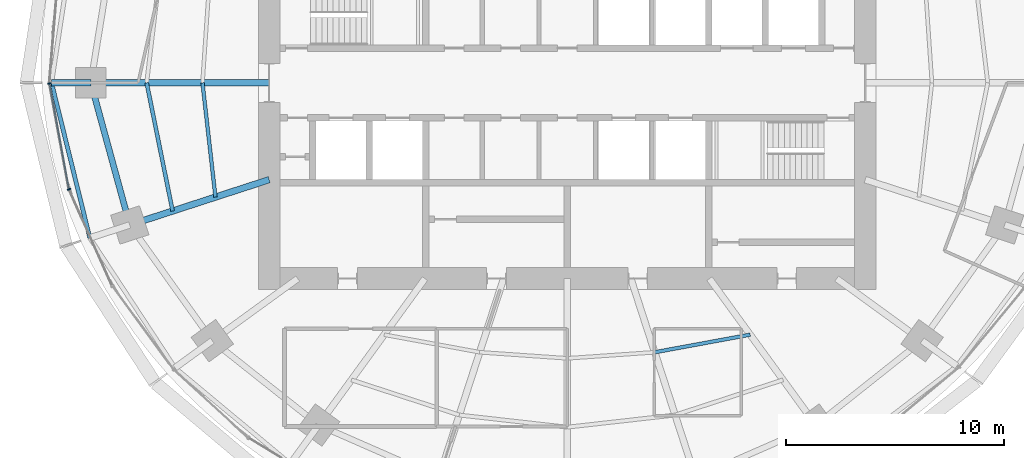
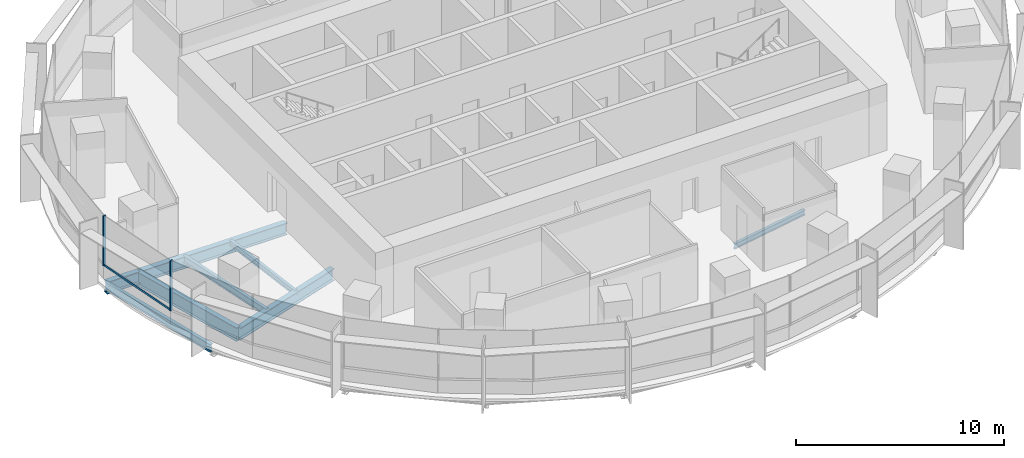
# One storey, part 3 of 14: 8 beams, 3 members, 1 element without a shape of its own.
"""IFC4 building model written with IfcOpenShell, lengths in metres."""

import ifcopenshell
import ifcopenshell.guid

model = None  # the IFC model being written
_history = None  # IfcOwnerHistory: only IFC2X3 demands one
_inside = {}  # id of a spatial element -> (the spatial element, [elements in it])
_under = {}  # id of a project, library or spatial element -> (it, [spatial elements below it])
_declared = {}  # id of a project -> (the project, [libraries it declares])
_typed = {}  # id of a type object -> (the type object, [elements of that type])
_made_of = {}  # id of a material, layer set ... -> (it, [elements and type objects made of it])


def new_model(schema):
    """Start an empty IFC model of exactly this schema.

    Asked for "IFC4X3", IfcOpenShell would pick the latest addendum, in which some entities
    have other attributes; the version numbers below select the first issue.
    IFC2X3 requires an IfcOwnerHistory on every rooted entity: one is made here for all.
    """
    global model, _history
    if schema == "IFC4X3":
        model = ifcopenshell.file(schema_version=(4, 3, 0, 0))
    else:
        model = ifcopenshell.file(schema=schema)
    _inside.clear()
    _under.clear()
    _declared.clear()
    _typed.clear()
    _made_of.clear()
    _history = None
    if model.schema == "IFC2X3":
        org = make("IfcOrganization", Name="unknown")
        user = make(
            "IfcPersonAndOrganization",
            ThePerson=make("IfcPerson", FamilyName="unknown"),
            TheOrganization=org,
        )
        app = make(
            "IfcApplication",
            ApplicationDeveloper=org,
            Version="unknown",
            ApplicationFullName="unknown",
            ApplicationIdentifier="unknown",
        )
        _history = make(
            "IfcOwnerHistory",
            OwningUser=user,
            OwningApplication=app,
            ChangeAction="ADDED",
            CreationDate=0,
        )
    return model


def make(cls, **values):
    """One entity of the class cls with the attributes given. An attribute that is None is left unset."""
    return model.create_entity(
        cls, **{name: value for name, value in values.items() if value is not None}
    )


def rooted(cls, **values):
    """An entity with a GlobalId (a new one), such as an element, a storey or a relation."""
    return make(cls, GlobalId=ifcopenshell.guid.new(), OwnerHistory=_history, **values)


def si_unit(unit_type, name, prefix=None):
    """IfcSIUnit, for example si_unit("LENGTHUNIT", "METRE", prefix="MILLI")."""
    return make("IfcSIUnit", UnitType=unit_type, Prefix=prefix, Name=name)


def assignment(units):
    """IfcUnitAssignment: the units of a project."""
    return None if units is None else make("IfcUnitAssignment", Units=units)


def point(xyz):
    """IfcCartesianPoint."""
    return None if xyz is None else make("IfcCartesianPoint", Coordinates=xyz)


def direction(xyz):
    """IfcDirection."""
    return None if xyz is None else make("IfcDirection", DirectionRatios=xyz)


def frame(location, z_axis=None, x_axis=None):
    """IfcAxis2Placement3D, a coordinate frame: its origin and axes. An axis left out is left unset."""
    return make(
        "IfcAxis2Placement3D",
        Location=point(location),
        Axis=direction(z_axis),
        RefDirection=direction(x_axis),
    )


def frame_2d(location, x_axis=None):
    """IfcAxis2Placement2D, a coordinate frame in the plane: its origin and x axis."""
    return make(
        "IfcAxis2Placement2D", Location=point(location), RefDirection=direction(x_axis)
    )


def origin():
    """The frame at (0, 0, 0) with its axes left unset."""
    return frame((0.0, 0.0, 0.0))


def origin_2d():
    """The frame at (0, 0) in the plane with its x axis left unset."""
    return frame_2d((0.0, 0.0))


def place(relative_to, where):
    """IfcLocalPlacement: puts the frame where relative to a parent placement (None: the world)."""
    return make(
        "IfcLocalPlacement", PlacementRelTo=relative_to, RelativePlacement=where
    )


def context(
    kind, dimensions, precision=None, world=None, true_north=None, identifier=None
):
    """IfcGeometricRepresentationContext, for example the 3D "Model" context."""
    return make(
        "IfcGeometricRepresentationContext",
        ContextIdentifier=identifier,
        ContextType=kind,
        CoordinateSpaceDimension=dimensions,
        Precision=precision,
        WorldCoordinateSystem=world,
        TrueNorth=true_north,
    )


def subcontext(parent, identifier, kind, view, scale=None):
    """IfcGeometricRepresentationSubContext, for example "Body" below "Model"."""
    return make(
        "IfcGeometricRepresentationSubContext",
        ContextIdentifier=identifier,
        ContextType=kind,
        ParentContext=parent,
        TargetScale=scale,
        TargetView=view,
    )


def project(units=None, contexts=None):
    """IfcProject with its units and contexts."""
    return rooted(
        "IfcProject",
        Name="project",
        RepresentationContexts=contexts,
        UnitsInContext=assignment(units),
    )


def spatial(cls, under=None, at=None, **own):
    """A site, building, storey or space (cls), placed at a placement, below another one or the project."""
    s = rooted(cls, ObjectPlacement=at, **own)
    if under is not None:
        _under.setdefault(under.id(), (under, []))[1].append(s)
    return s


def profile(cls, at=None, kind="AREA", **sizes):
    """A parametric profile (cls). Its sizes go by their IFC names, for example OverallWidth=200.0."""
    return make(cls, ProfileType=kind, Position=at, **sizes)


def rectangle(**sizes):
    """IfcRectangleProfileDef."""
    return profile("IfcRectangleProfileDef", **sizes)


def i_section(**sizes):
    """IfcIShapeProfileDef."""
    return profile("IfcIShapeProfileDef", **sizes)


def extrude(swept, where, along, depth):
    """IfcExtrudedAreaSolid: the profile swept, set in the frame where, extruded along a direction by depth."""
    return make(
        "IfcExtrudedAreaSolid",
        SweptArea=swept,
        Position=where,
        ExtrudedDirection=direction(along),
        Depth=depth,
    )


def shape(context_of_items, identifier, shape_type, items):
    """IfcShapeRepresentation: the items that make up one representation, for example the "Body"."""
    return make(
        "IfcShapeRepresentation",
        ContextOfItems=context_of_items,
        RepresentationIdentifier=identifier,
        RepresentationType=shape_type,
        Items=items,
    )


def material(Name=None, Category=None):
    """IfcMaterial."""
    return make("IfcMaterial", Name=Name, Category=Category)


def material_profile(
    of_material, cross_section, Name=None, Category=None, Priority=None
):
    """IfcMaterialProfile: a cross section and its material."""
    return make(
        "IfcMaterialProfile",
        Name=Name,
        Material=of_material,
        Profile=cross_section,
        Priority=Priority,
        Category=Category,
    )


def profile_set(profiles, Name=None, composite=None):
    """IfcMaterialProfileSet."""
    return make(
        "IfcMaterialProfileSet",
        Name=Name,
        MaterialProfiles=profiles,
        CompositeProfile=composite,
    )


def made_of(thing, what):
    """Note that an element or type object is made of a material, layer set ...; save() writes the relation."""
    if what is not None:
        _made_of.setdefault(what.id(), (what, []))[1].append(thing)
    return thing


def type_object(cls, material=None, **own):
    """A type object (cls), such as IfcWallType, which elements share."""
    return made_of(rooted(cls, **own), material)


def element(
    cls,
    number,
    at=None,
    inside=None,
    cuts=None,
    type_object=None,
    material=None,
    context=None,
    identifier="Body",
    shape_type=None,
    held_by="IfcProductDefinitionShape",
    body=None,
    shapes=None,
    **own,
):
    """One element of the class cls, such as IfcWall. Its Tag is "e" and its number.

    at: its placement. inside: the storey or other place that contains it. cuts: it is an
    opening in that element (IfcRelVoidsElement). A single representation is given by context,
    identifier, shape_type and body (its items); several are given by shapes. held_by: the class
    of the entity that holds the representations. save() writes the other relations.
    """
    e = rooted(cls, Tag="e%d" % number, ObjectPlacement=at, **own)
    if body is not None:
        shapes = [shape(context, identifier, shape_type, body)]
    if shapes is not None:
        e.Representation = make(held_by, Representations=shapes)
    if inside is not None:
        _inside.setdefault(inside.id(), (inside, []))[1].append(e)
    if cuts is not None:
        rooted(
            "IfcRelVoidsElement", RelatingBuildingElement=cuts, RelatedOpeningElement=e
        )
    if type_object is not None:
        _typed.setdefault(type_object.id(), (type_object, []))[1].append(e)
    return made_of(e, material)


def aggregate(whole, parts):
    """IfcRelAggregates: a whole, such as a stair, and the parts it consists of."""
    return rooted("IfcRelAggregates", RelatingObject=whole, RelatedObjects=parts)


def save(model, path):
    """Write the relations noted so far, then the file.

    IfcRelAggregates (storeys below a building ...), IfcRelContainedInSpatialStructure (elements
    in a storey), IfcRelDefinesByType, IfcRelAssociatesMaterial and IfcRelDeclares: one each for
    every whole, place, type object, material and project.
    """
    for whole, parts in _under.values():
        aggregate(whole, parts)
    for where, things in _inside.values():
        rooted(
            "IfcRelContainedInSpatialStructure",
            RelatedElements=things,
            RelatingStructure=where,
        )
    for kind, things in _typed.values():
        rooted("IfcRelDefinesByType", RelatedObjects=things, RelatingType=kind)
    for what, things in _made_of.values():
        rooted("IfcRelAssociatesMaterial", RelatedObjects=things, RelatingMaterial=what)
    for by, libraries in _declared.values():
        rooted("IfcRelDeclares", RelatingContext=by, RelatedDefinitions=libraries)
    model.write(path)


model = new_model("IFC4")

# Units and contexts
model_context = context("Model", 3, precision=1e-05, world=origin(), true_north=direction((0.0, 1.0)))
body_context = subcontext(model_context, "Body", "Model", "MODEL_VIEW")
ifc_project = project(units=[si_unit("LENGTHUNIT", "METRE"), si_unit("AREAUNIT", "SQUARE_METRE"), si_unit("VOLUMEUNIT", "CUBIC_METRE"), si_unit("PLANEANGLEUNIT", "RADIAN"), si_unit("MASSUNIT", "GRAM", prefix="KILO")], contexts=[model_context])

# Site, building, storey
site_placement = place(None, origin())
site = spatial("IfcSite", under=ifc_project, at=site_placement, CompositionType="ELEMENT")
building_placement = place(site_placement, origin())
building = spatial("IfcBuilding", under=site, at=building_placement, Name="Marramba Exchange Tower", CompositionType="ELEMENT")
storey_placement = place(building_placement, frame((0.0, 0.0, 234.5)))
storey = spatial("IfcBuildingStorey", under=building, at=storey_placement, Name="L57", CompositionType="ELEMENT", Elevation=234.5)

# Beams
ifc_material_1 = material(Name="Steel AS/NZS 3679.2 grade 300", Category="steel")
ifc_material_profile_1 = material_profile(ifc_material_1, i_section(OverallWidth=0.300048828125, OverallDepth=0.699951171875, WebThickness=0.010009765625, FlangeThickness=0.031982421875, at=origin_2d()), Name="700WB173")
ifc_profile_set_1 = profile_set([ifc_material_profile_1], Name="Steel AS/NZS 3679.2 grade 300")
beam_type_1 = type_object("IfcBeamType", Name="Cantilever girder 700WB173", PredefinedType="BEAM", material=ifc_profile_set_1)
beam_1_placement = place(storey_placement, frame((-21.89990234375, 0.0, -0.510009765625), z_axis=(-1.0, 0.0, 0.0), x_axis=(0.0, -1.0, 0.0)))
element("IfcBeam", 1, at=beam_1_placement, inside=storey, type_object=beam_type_1, Name="Cantilever girder L57 TC11", PredefinedType="BEAM", context=body_context, shape_type="SweptSolid", body=[
    extrude(i_section(OverallWidth=0.300048828125, OverallDepth=0.699951171875, WebThickness=0.010009765625, FlangeThickness=0.031982421875, at=origin_2d()), origin(), (0.0, 0.0, 1.0), 1.80615234375),
])
ifc_material_2 = material(Name="Steel AS/NZS 3679.1 grade 300", Category="steel")
ifc_material_profile_2 = material_profile(ifc_material_2, i_section(OverallWidth=0.166015625, OverallDepth=0.306884765625, WebThickness=0.006591796875, FlangeThickness=0.01171875, FilletRadius=0.011474609375, at=origin_2d()), Name="310UB46.2")
ifc_profile_set_2 = profile_set([ifc_material_profile_2], Name="Steel AS/NZS 3679.1 grade 300")
beam_type_2 = type_object("IfcBeamType", Name="Floor joist 310UB46.2", PredefinedType="JOIST", material=ifc_profile_set_2)
beam_2_placement = place(storey_placement, frame((-16.7666015625, 0.0, -0.3134765625), z_axis=(0.112888968594, -0.993607609054, 0.0), x_axis=(0.993607609054, 0.112888968594, 0.0)))
element("IfcBeam", 2, at=beam_2_placement, inside=storey, type_object=beam_type_2, Name="Joist L57 bay 11 row 1", PredefinedType="JOIST", context=body_context, shape_type="SweptSolid", body=[
    extrude(i_section(OverallWidth=0.166015625, OverallDepth=0.306884765625, WebThickness=0.006591796875, FlangeThickness=0.01171875, FilletRadius=0.011474609375, at=origin_2d()), origin(), (0.0, 0.0, 1.0), 5.28759765625),
])
beam_3_placement = place(storey_placement, frame((4.0244140625, -12.3857421875, -0.3134765625), z_axis=(0.983455754421, 0.181148500119, 0.0), x_axis=(-0.181148500119, 0.983455754421, 0.0)))
element("IfcBeam", 3, at=beam_3_placement, inside=storey, type_object=beam_type_2, Name="Joist L57 bay 17 row 1", PredefinedType="JOIST", context=body_context, shape_type="SweptSolid", body=[
    extrude(i_section(OverallWidth=0.166015625, OverallDepth=0.306884765625, WebThickness=0.006591796875, FlangeThickness=0.01171875, FilletRadius=0.011474609375, at=origin_2d()), origin(), (0.0, 0.0, 1.0), 4.4609375),
])
ifc_material_profile_3 = material_profile(ifc_material_2, i_section(OverallWidth=0.177978515625, OverallDepth=0.406005859375, WebThickness=0.0078125, FlangeThickness=0.0126953125, FilletRadius=0.011474609375, at=origin_2d()), Name="410UB59.7")
ifc_profile_set_3 = profile_set([ifc_material_profile_3], Name="Steel AS/NZS 3679.1 grade 300")
beam_type_3 = type_object("IfcBeamType", Name="Floor joist 410UB59.7", PredefinedType="JOIST", material=ifc_profile_set_3)
beam_4_placement = place(storey_placement, frame((-19.333251953125, 0.0, -0.363037109375), z_axis=(0.198489047047, -0.980103105904, 0.0), x_axis=(0.980103105904, 0.198489047047, 0.0)))
element("IfcBeam", 4, at=beam_4_placement, inside=storey, type_object=beam_type_3, Name="Joist L57 bay 11 row 2", PredefinedType="JOIST", context=body_context, shape_type="SweptSolid", body=[
    extrude(i_section(OverallWidth=0.177978515625, OverallDepth=0.406005859375, WebThickness=0.0078125, FlangeThickness=0.0126953125, FilletRadius=0.011474609375, at=origin_2d()), origin(), (0.0, 0.0, 1.0), 6.013427734375),
])

# Curtain wall, members
ifc_material_3 = material(Name="Aluminium framing, bronze anodised", Category="aluminium")
curtain_wall_type = type_object("IfcCurtainWallType", Name="Office ribbon curtain wall", PredefinedType="USERDEFINED", material=ifc_material_3)
curtain_wall_placement = place(storey_placement, origin())
curtain_wall = element("IfcCurtainWall", 5, at=curtain_wall_placement, inside=storey, type_object=curtain_wall_type, Name="Curtain wall CW4 L57 F16-F20", ObjectType="RIBBON CURTAIN WALL", PredefinedType="USERDEFINED")
ifc_material_4 = material(Name="Aluminium mullion, bronze anodised", Category="aluminium")
ifc_material_profile_4 = material_profile(ifc_material_4, rectangle(XDim=0.159912109375, YDim=0.06005859375, at=origin_2d()), Name="CW4 mullion 60x160")
ifc_profile_set_4 = profile_set([ifc_material_profile_4], Name="Aluminium mullion, bronze anodised")
member_type_1 = type_object("IfcMemberType", Name="Office ribbon curtain wall mullion", PredefinedType="MULLION", material=ifc_profile_set_4)
member_1_placement = place(storey_placement, frame((-23.800537109375, -0.029541015625, 0.800048828125), z_axis=(0.0, 0.0, 1.0), x_axis=(0.983606636184, 0.180327438996, 0.0)))
member_1 = element("IfcMember", 6, at=member_1_placement, type_object=member_type_1, Name="CW4 mullion 1", PredefinedType="MULLION", context=body_context, shape_type="SweptSolid", body=[
    extrude(rectangle(XDim=0.159912109375, YDim=0.06005859375, at=origin_2d()), origin(), (0.0, 0.0, 1.0), 2.93994140625),
])
member_2_placement = place(storey_placement, frame((-22.90087890625, -4.897705078125, 0.800048828125), z_axis=(0.0, 0.0, 1.0), x_axis=(0.913179510401, 0.407557580942, 0.0)))
member_2 = element("IfcMember", 7, at=member_2_placement, type_object=member_type_1, Name="CW4 mullion 1", PredefinedType="MULLION", context=body_context, shape_type="SweptSolid", body=[
    extrude(rectangle(XDim=0.159912109375, YDim=0.06005859375, at=origin_2d()), origin(), (0.0, 0.0, 1.0), 2.93994140625),
])
ifc_material_5 = material(Name="Aluminium transom, bronze anodised", Category="aluminium")
ifc_material_profile_5 = material_profile(ifc_material_5, rectangle(XDim=0.06005859375, YDim=0.1201171875, at=origin_2d()), Name="CW4 transom 60x120")
ifc_profile_set_5 = profile_set([ifc_material_profile_5], Name="Aluminium transom, bronze anodised")
member_type_2 = type_object("IfcMemberType", Name="Office ribbon curtain wall transom", PredefinedType="USERDEFINED", material=ifc_profile_set_5)
member_3_placement = place(storey_placement, frame((-23.795166015625, -0.05908203125, 0.830078125), z_axis=(0.180330283276, -0.98360611473, 0.0), x_axis=(0.98360611473, 0.180330283276, 0.0)))
member_3 = element("IfcMember", 8, at=member_3_placement, type_object=member_type_2, Name="CW4 sill transom", ObjectType="TRANSOM", PredefinedType="USERDEFINED", context=body_context, shape_type="SweptSolid", body=[
    extrude(rectangle(XDim=0.06005859375, YDim=0.1201171875, at=origin_2d()), origin(), (0.0, 0.0, 1.0), 4.891357421875),
])
aggregate(curtain_wall, [member_1, member_3, member_2])

# Beams
ifc_material_profile_6 = material_profile(ifc_material_1, i_section(OverallWidth=0.300048828125, OverallDepth=0.699951171875, WebThickness=0.010009765625, FlangeThickness=0.031982421875, at=origin_2d()), Name="700WB173")
ifc_profile_set_6 = profile_set([ifc_material_profile_6], Name="Steel AS/NZS 3679.2 grade 300")
beam_type_4 = type_object("IfcBeamType", Name="Radial girder 700WB173", PredefinedType="BEAM", material=ifc_profile_set_6)
beam_5_placement = place(storey_placement, frame((-13.699951171875, 0.0, -0.510009765625), z_axis=(-1.0, 0.0, 0.0), x_axis=(0.0, -1.0, 0.0)))
element("IfcBeam", 9, at=beam_5_placement, inside=storey, type_object=beam_type_4, Name="Radial girder L57 TC11", PredefinedType="BEAM", context=body_context, shape_type="SweptSolid", body=[
    extrude(i_section(OverallWidth=0.300048828125, OverallDepth=0.699951171875, WebThickness=0.010009765625, FlangeThickness=0.031982421875, at=origin_2d()), origin(), (0.0, 0.0, 1.0), 8.199951171875),
])
beam_6_placement = place(storey_placement, frame((-13.699951171875, -4.451416015625, -0.510009765625), z_axis=(-0.951057759669, -0.309013167637, 0.0), x_axis=(0.309013167637, -0.951057759669, 0.0)))
element("IfcBeam", 10, at=beam_6_placement, inside=storey, type_object=beam_type_4, Name="Radial girder L57 TC12", PredefinedType="BEAM", context=body_context, shape_type="SweptSolid", body=[
    extrude(i_section(OverallWidth=0.300048828125, OverallDepth=0.699951171875, WebThickness=0.010009765625, FlangeThickness=0.031982421875, at=origin_2d()), origin(), (0.0, 0.0, 1.0), 6.7392578125),
])
ifc_material_profile_7 = material_profile(ifc_material_1, i_section(OverallWidth=0.27490234375, OverallDepth=0.800048828125, WebThickness=0.010009765625, FlangeThickness=0.02490234375, at=origin_2d()), Name="800WB168")
ifc_profile_set_7 = profile_set([ifc_material_profile_7], Name="Steel AS/NZS 3679.2 grade 300")
beam_type_5 = type_object("IfcBeamType", Name="Ring beam 800WB168", PredefinedType="SPANDREL", material=ifc_profile_set_7)
beam_7_placement = place(storey_placement, frame((-21.89990234375, 0.0, -0.56005859375), z_axis=(0.264291166956, -0.964442937176, 0.0), x_axis=(0.964442937176, 0.264291166956, 0.0)))
element("IfcBeam", 11, at=beam_7_placement, inside=storey, type_object=beam_type_5, Name="Ring beam L57 TC11-TC12", PredefinedType="SPANDREL", context=body_context, shape_type="SweptSolid", body=[
    extrude(i_section(OverallWidth=0.27490234375, OverallDepth=0.800048828125, WebThickness=0.010009765625, FlangeThickness=0.02490234375, at=origin_2d()), origin(), (0.0, 0.0, 1.0), 6.77490234375),
])
ifc_material_profile_8 = material_profile(ifc_material_2, i_section(OverallWidth=0.19091796875, OverallDepth=0.4599609375, WebThickness=0.010009765625, FlangeThickness=0.01611328125, FilletRadius=0.011474609375, at=origin_2d()), Name="460UB82.1")
ifc_profile_set_8 = profile_set([ifc_material_profile_8], Name="Steel AS/NZS 3679.1 grade 300")
beam_type_6 = type_object("IfcBeamType", Name="Slab edge beam 460UB82.1", PredefinedType="SPANDREL", material=ifc_profile_set_8)
beam_8_placement = place(storey_placement, frame((-23.7060546875, 0.0, -0.389892578125), z_axis=(0.23973454413, -0.970838476963, 0.0), x_axis=(0.970838476963, 0.23973454413, 0.0)))
element("IfcBeam", 12, at=beam_8_placement, inside=storey, type_object=beam_type_6, Name="Slab edge beam L57 TC11-TC12", PredefinedType="SPANDREL", context=body_context, shape_type="SweptSolid", body=[
    extrude(i_section(OverallWidth=0.19091796875, OverallDepth=0.4599609375, WebThickness=0.010009765625, FlangeThickness=0.01611328125, FilletRadius=0.011474609375, at=origin_2d()), origin(), (0.0, 0.0, 1.0), 7.344482421875),
])

save(model, "model.ifc")
